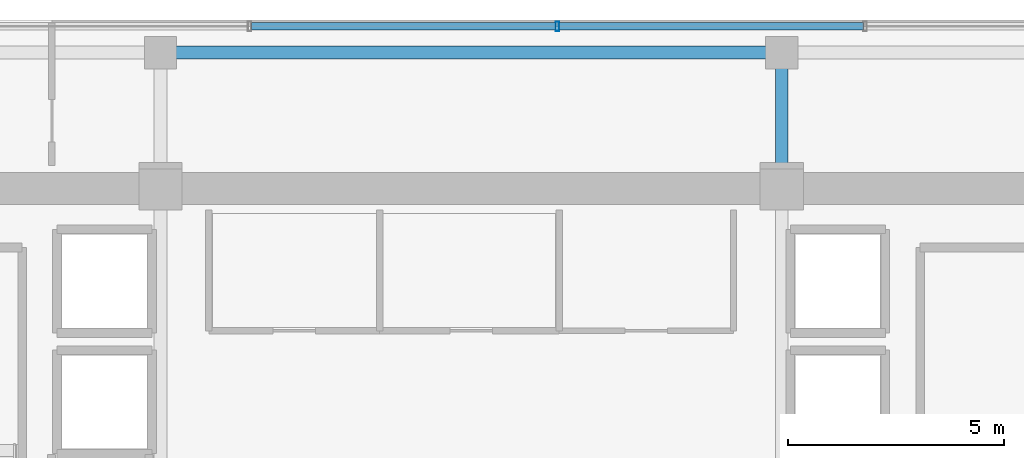
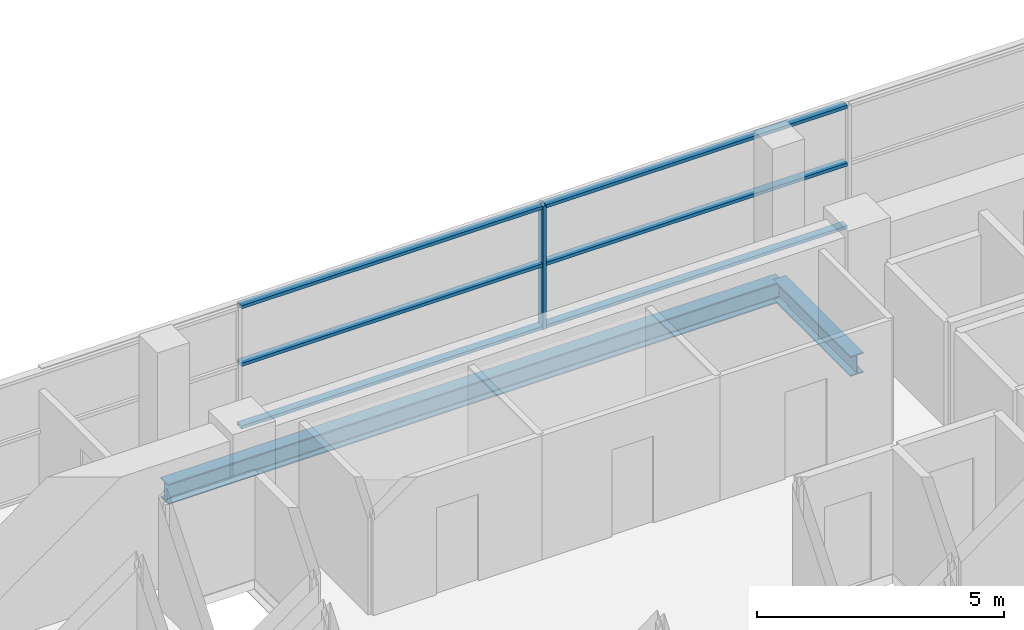
# One storey, part 11 of 22: 7 members, 2 beams, 1 element without a shape of its own.
"""IFC4 building model written with IfcOpenShell, lengths in metres."""

from ifc_helpers import new_model, si_unit, direction, frame, origin, origin_2d, place, context, subcontext, project, spatial, hollow_rectangle, i_section, extrude, source, transform, mapped, material, layer, layer_set, material_profile, profile_set, type_object, element, aggregate, save


model = new_model("IFC4")

# Units and contexts
model_context = context("Model", 3, precision=1e-05, world=origin(), true_north=direction((0.0, 1.0)))
body_context = subcontext(model_context, "Body", "Model", "MODEL_VIEW")
ifc_project = project(units=[si_unit("LENGTHUNIT", "METRE"), si_unit("AREAUNIT", "SQUARE_METRE"), si_unit("VOLUMEUNIT", "CUBIC_METRE"), si_unit("PLANEANGLEUNIT", "RADIAN"), si_unit("MASSUNIT", "GRAM", prefix="KILO")], contexts=[model_context])

# Site, building, storey
site_placement = place(None, origin())
site = spatial("IfcSite", under=ifc_project, at=site_placement, CompositionType="ELEMENT")
building_placement = place(site_placement, origin())
building = spatial("IfcBuilding", under=site, at=building_placement, Name="Zarnakvel Exchange Tower", CompositionType="ELEMENT")
storey_placement = place(building_placement, frame((0.0, 0.0, 192.39990234375)))
storey = spatial("IfcBuildingStorey", under=building, at=storey_placement, Name="L54", CompositionType="ELEMENT", Elevation=192.39990234375)

# Beams
ifc_material_1 = material(Name="Steel S355", Category="steel")
ifc_material_profile_1 = material_profile(ifc_material_1, i_section(OverallWidth=0.300048828125, OverallDepth=0.5, WebThickness=0.014404296875, FlangeThickness=0.028076171875, FilletRadius=0.027099609375, at=origin_2d()))
ifc_profile_set_1 = profile_set([ifc_material_profile_1], Name="Steel S355")
beam_type_1 = type_object("IfcBeamType", Name="G-06", PredefinedType="BEAM", material=ifc_profile_set_1)
beam_1_placement = place(storey_placement, frame((7.199951171875, 13.5, -0.474853515625), z_axis=(0.0, 1.0, 0.0), x_axis=(-1.0, 0.0, 0.0)))
element("IfcBeam", 1, at=beam_1_placement, inside=storey, type_object=beam_type_1, Name="L54 Tower N-S Frame Beam", PredefinedType="BEAM", context=body_context, shape_type="SweptSolid", body=[
    extrude(i_section(OverallWidth=0.300048828125, OverallDepth=0.5, WebThickness=0.014404296875, FlangeThickness=0.028076171875, FilletRadius=0.027099609375, at=origin_2d()), origin(), (0.0, 0.0, 1.0), 3.14990234375),
])
ifc_material_profile_2 = material_profile(ifc_material_1, i_section(OverallWidth=0.300048828125, OverallDepth=0.5, WebThickness=0.014404296875, FlangeThickness=0.028076171875, FilletRadius=0.027099609375, at=origin_2d()))
ifc_profile_set_2 = profile_set([ifc_material_profile_2], Name="Steel S355")
beam_type_2 = type_object("IfcBeamType", Name="SP-02", PredefinedType="SPANDREL", material=ifc_profile_set_2)
beam_2_placement = place(storey_placement, frame((-7.199951171875, 16.64990234375, -0.474853515625), z_axis=(1.0, 0.0, 0.0), x_axis=(0.0, 1.0, 0.0)))
element("IfcBeam", 2, at=beam_2_placement, inside=storey, type_object=beam_type_2, Name="L54 Tower E-W Frame Beam", PredefinedType="SPANDREL", context=body_context, shape_type="SweptSolid", body=[
    extrude(i_section(OverallWidth=0.300048828125, OverallDepth=0.5, WebThickness=0.014404296875, FlangeThickness=0.028076171875, FilletRadius=0.027099609375, at=origin_2d()), origin(), (0.0, 0.0, 1.0), 14.39990234375),
])

# Curtain wall, members
ifc_material_2 = material(Name="Architectural Bronze Anodised Aluminium", Category="aluminium")
ifc_layer = layer(ifc_material_2, 0.219970703125)
ifc_layer_set = layer_set([ifc_layer], Name="Architectural Bronze Anodised Aluminium")
curtain_wall_type = type_object("IfcCurtainWallType", Name="CW-03", PredefinedType="NOTDEFINED", material=ifc_layer_set)
curtain_wall_placement = place(storey_placement, origin())
curtain_wall = element("IfcCurtainWall", 3, at=curtain_wall_placement, inside=storey, type_object=curtain_wall_type, Name="L54 Curtain Wall CW-L54-N1 (CW-03)", PredefinedType="NOTDEFINED")
ifc_material_profile_3 = material_profile(ifc_material_2, hollow_rectangle(XDim=0.179931640625, YDim=0.080078125, WallThickness=0.00390625, at=origin_2d()))
ifc_profile_set_3 = profile_set([ifc_material_profile_3], Name="Architectural Bronze Anodised Aluminium")
member_type_1 = type_object("IfcMemberType", Name="CWT-03", PredefinedType="USERDEFINED", material=ifc_profile_set_3)
shared_shape_1 = source(origin(), body_context, "Body", "SweptSolid", [
    extrude(hollow_rectangle(XDim=0.179931640625, YDim=0.080078125, WallThickness=0.00390625, at=origin_2d()), origin(), (0.0, 0.0, 1.0), 7.05322265625),
])
member_1_placement = place(storey_placement, frame((-5.09326171875, 17.260009765625, 0.0400390625), z_axis=(1.0, 0.0, 0.0), x_axis=(0.0, 1.0, 0.0)))
member_1 = element("IfcMember", 4, at=member_1_placement, type_object=member_type_1, Name="CW-03 transom 3.1", ObjectType="TRANSOM", PredefinedType="USERDEFINED", context=body_context, shape_type="MappedRepresentation", body=[
    mapped(shared_shape_1, transform((0.0, 0.0, 0.0), x_axis=(1.0, 0.0, 0.0), y_axis=(0.0, 1.0, 0.0), z_axis=(0.0, 0.0, 1.0), scale=1.0)),
])
member_2_placement = place(storey_placement, frame((-5.09326171875, 17.260009765625, 1.588623046875), z_axis=(1.0, 0.0, 0.0), x_axis=(0.0, 1.0, 0.0)))
member_2 = element("IfcMember", 5, at=member_2_placement, type_object=member_type_1, Name="CW-03 transom 3.2", ObjectType="TRANSOM", PredefinedType="USERDEFINED", context=body_context, shape_type="MappedRepresentation", body=[
    mapped(shared_shape_1, transform((0.0, 0.0, 0.0), x_axis=(1.0, 0.0, 0.0), y_axis=(0.0, 1.0, 0.0), z_axis=(0.0, 0.0, 1.0), scale=1.0)),
])
member_3_placement = place(storey_placement, frame((-5.09326171875, 17.260009765625, 3.01513671875), z_axis=(1.0, 0.0, 0.0), x_axis=(0.0, 1.0, 0.0)))
member_3 = element("IfcMember", 6, at=member_3_placement, type_object=member_type_1, Name="CW-03 transom 3.3", ObjectType="TRANSOM", PredefinedType="USERDEFINED", context=body_context, shape_type="MappedRepresentation", body=[
    mapped(shared_shape_1, transform((0.0, 0.0, 0.0), x_axis=(1.0, 0.0, 0.0), y_axis=(0.0, 1.0, 0.0), z_axis=(0.0, 0.0, 1.0), scale=1.0)),
])
member_4_placement = place(storey_placement, frame((2.0400390625, 17.260009765625, 0.0400390625), z_axis=(1.0, 0.0, 0.0), x_axis=(0.0, 1.0, 0.0)))
member_4 = element("IfcMember", 7, at=member_4_placement, type_object=member_type_1, Name="CW-03 transom 4.1", ObjectType="TRANSOM", PredefinedType="USERDEFINED", context=body_context, shape_type="MappedRepresentation", body=[
    mapped(shared_shape_1, transform((0.0, 0.0, 0.0), x_axis=(1.0, 0.0, 0.0), y_axis=(0.0, 1.0, 0.0), z_axis=(0.0, 0.0, 1.0), scale=1.0)),
])
member_5_placement = place(storey_placement, frame((2.0400390625, 17.260009765625, 1.588623046875), z_axis=(1.0, 0.0, 0.0), x_axis=(0.0, 1.0, 0.0)))
member_5 = element("IfcMember", 8, at=member_5_placement, type_object=member_type_1, Name="CW-03 transom 4.2", ObjectType="TRANSOM", PredefinedType="USERDEFINED", context=body_context, shape_type="MappedRepresentation", body=[
    mapped(shared_shape_1, transform((0.0, 0.0, 0.0), x_axis=(1.0, 0.0, 0.0), y_axis=(0.0, 1.0, 0.0), z_axis=(0.0, 0.0, 1.0), scale=1.0)),
])
member_6_placement = place(storey_placement, frame((2.0400390625, 17.260009765625, 3.01513671875), z_axis=(1.0, 0.0, 0.0), x_axis=(0.0, 1.0, 0.0)))
member_6 = element("IfcMember", 9, at=member_6_placement, type_object=member_type_1, Name="CW-03 transom 4.3", ObjectType="TRANSOM", PredefinedType="USERDEFINED", context=body_context, shape_type="MappedRepresentation", body=[
    mapped(shared_shape_1, transform((0.0, 0.0, 0.0), x_axis=(1.0, 0.0, 0.0), y_axis=(0.0, 1.0, 0.0), z_axis=(0.0, 0.0, 1.0), scale=1.0)),
])
ifc_material_profile_4 = material_profile(ifc_material_2, hollow_rectangle(XDim=0.219970703125, YDim=0.080078125, WallThickness=0.0048828125, at=origin_2d()))
ifc_profile_set_4 = profile_set([ifc_material_profile_4], Name="Architectural Bronze Anodised Aluminium")
member_type_2 = type_object("IfcMemberType", Name="CWM-03", PredefinedType="MULLION", material=ifc_profile_set_4)
shared_shape_2 = source(origin(), body_context, "Body", "SweptSolid", [
    extrude(hollow_rectangle(XDim=0.219970703125, YDim=0.080078125, WallThickness=0.0048828125, at=origin_2d()), origin(), (0.0, 0.0, 1.0), 3.05517578125),
])
member_7_placement = place(storey_placement, frame((2.0, 17.260009765625, 0.0), z_axis=(0.0, 0.0, 1.0), x_axis=(0.0, 1.0, 0.0)))
member_7 = element("IfcMember", 10, at=member_7_placement, type_object=member_type_2, Name="CW-03 mullion 4", PredefinedType="MULLION", context=body_context, shape_type="MappedRepresentation", body=[
    mapped(shared_shape_2, transform((0.0, 0.0, 0.0), x_axis=(1.0, 0.0, 0.0), y_axis=(0.0, 1.0, 0.0), z_axis=(0.0, 0.0, 1.0), scale=1.0)),
])
aggregate(curtain_wall, [member_7, member_1, member_2, member_3, member_4, member_5, member_6])

save(model, "model.ifc")
